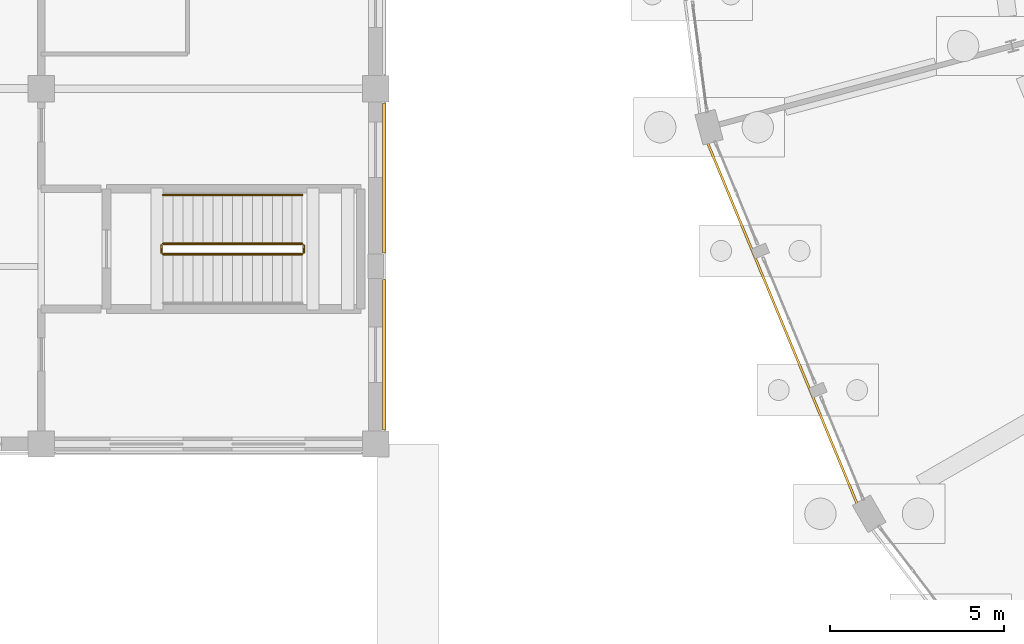
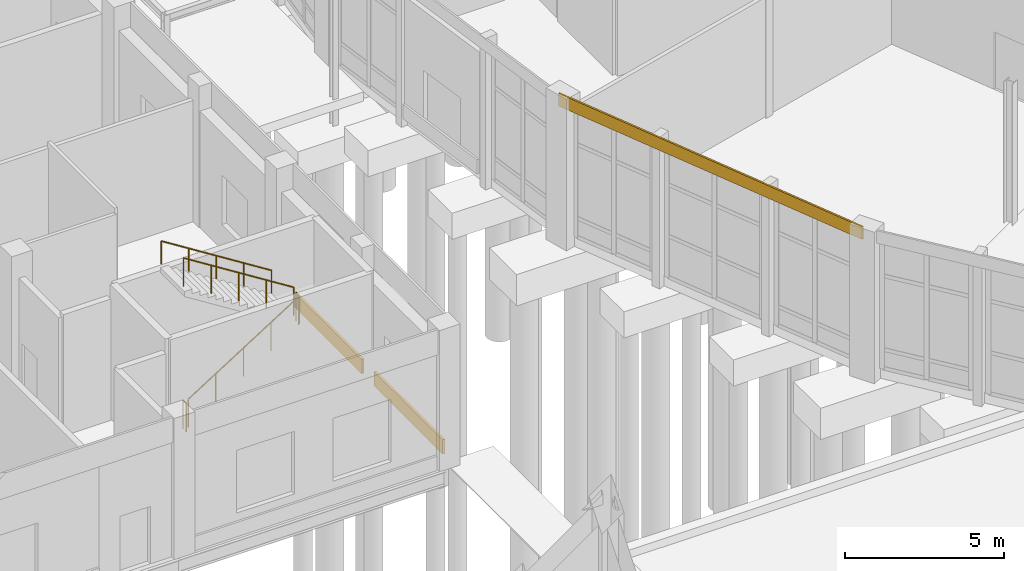
# One storey, part 123 of 137: 5 railings, 3 coverings.
"""IFC4 building model written with IfcOpenShell, lengths in metres."""

import ifcopenshell
import ifcopenshell.guid

model = None  # the IFC model being written
_history = None  # IfcOwnerHistory: only IFC2X3 demands one
_inside = {}  # id of a spatial element -> (the spatial element, [elements in it])
_under = {}  # id of a project, library or spatial element -> (it, [spatial elements below it])
_declared = {}  # id of a project -> (the project, [libraries it declares])
_typed = {}  # id of a type object -> (the type object, [elements of that type])
_made_of = {}  # id of a material, layer set ... -> (it, [elements and type objects made of it])


def new_model(schema):
    """Start an empty IFC model of exactly this schema.

    Asked for "IFC4X3", IfcOpenShell would pick the latest addendum, in which some entities
    have other attributes; the version numbers below select the first issue.
    IFC2X3 requires an IfcOwnerHistory on every rooted entity: one is made here for all.
    """
    global model, _history
    if schema == "IFC4X3":
        model = ifcopenshell.file(schema_version=(4, 3, 0, 0))
    else:
        model = ifcopenshell.file(schema=schema)
    _inside.clear()
    _under.clear()
    _declared.clear()
    _typed.clear()
    _made_of.clear()
    _history = None
    if model.schema == "IFC2X3":
        org = make("IfcOrganization", Name="unknown")
        user = make(
            "IfcPersonAndOrganization",
            ThePerson=make("IfcPerson", FamilyName="unknown"),
            TheOrganization=org,
        )
        app = make(
            "IfcApplication",
            ApplicationDeveloper=org,
            Version="unknown",
            ApplicationFullName="unknown",
            ApplicationIdentifier="unknown",
        )
        _history = make(
            "IfcOwnerHistory",
            OwningUser=user,
            OwningApplication=app,
            ChangeAction="ADDED",
            CreationDate=0,
        )
    return model


def make(cls, **values):
    """One entity of the class cls with the attributes given. An attribute that is None is left unset."""
    return model.create_entity(
        cls, **{name: value for name, value in values.items() if value is not None}
    )


def rooted(cls, **values):
    """An entity with a GlobalId (a new one), such as an element, a storey or a relation."""
    return make(cls, GlobalId=ifcopenshell.guid.new(), OwnerHistory=_history, **values)


def si_unit(unit_type, name, prefix=None):
    """IfcSIUnit, for example si_unit("LENGTHUNIT", "METRE", prefix="MILLI")."""
    return make("IfcSIUnit", UnitType=unit_type, Prefix=prefix, Name=name)


def assignment(units):
    """IfcUnitAssignment: the units of a project."""
    return None if units is None else make("IfcUnitAssignment", Units=units)


def point(xyz):
    """IfcCartesianPoint."""
    return None if xyz is None else make("IfcCartesianPoint", Coordinates=xyz)


def direction(xyz):
    """IfcDirection."""
    return None if xyz is None else make("IfcDirection", DirectionRatios=xyz)


def frame(location, z_axis=None, x_axis=None):
    """IfcAxis2Placement3D, a coordinate frame: its origin and axes. An axis left out is left unset."""
    return make(
        "IfcAxis2Placement3D",
        Location=point(location),
        Axis=direction(z_axis),
        RefDirection=direction(x_axis),
    )


def frame_2d(location, x_axis=None):
    """IfcAxis2Placement2D, a coordinate frame in the plane: its origin and x axis."""
    return make(
        "IfcAxis2Placement2D", Location=point(location), RefDirection=direction(x_axis)
    )


def origin():
    """The frame at (0, 0, 0) with its axes left unset."""
    return frame((0.0, 0.0, 0.0))


def origin_2d():
    """The frame at (0, 0) in the plane with its x axis left unset."""
    return frame_2d((0.0, 0.0))


def place(relative_to, where):
    """IfcLocalPlacement: puts the frame where relative to a parent placement (None: the world)."""
    return make(
        "IfcLocalPlacement", PlacementRelTo=relative_to, RelativePlacement=where
    )


def context(
    kind, dimensions, precision=None, world=None, true_north=None, identifier=None
):
    """IfcGeometricRepresentationContext, for example the 3D "Model" context."""
    return make(
        "IfcGeometricRepresentationContext",
        ContextIdentifier=identifier,
        ContextType=kind,
        CoordinateSpaceDimension=dimensions,
        Precision=precision,
        WorldCoordinateSystem=world,
        TrueNorth=true_north,
    )


def subcontext(parent, identifier, kind, view, scale=None):
    """IfcGeometricRepresentationSubContext, for example "Body" below "Model"."""
    return make(
        "IfcGeometricRepresentationSubContext",
        ContextIdentifier=identifier,
        ContextType=kind,
        ParentContext=parent,
        TargetScale=scale,
        TargetView=view,
    )


def project(units=None, contexts=None):
    """IfcProject with its units and contexts."""
    return rooted(
        "IfcProject",
        Name="project",
        RepresentationContexts=contexts,
        UnitsInContext=assignment(units),
    )


def spatial(cls, under=None, at=None, **own):
    """A site, building, storey or space (cls), placed at a placement, below another one or the project."""
    s = rooted(cls, ObjectPlacement=at, **own)
    if under is not None:
        _under.setdefault(under.id(), (under, []))[1].append(s)
    return s


def profile(cls, at=None, kind="AREA", **sizes):
    """A parametric profile (cls). Its sizes go by their IFC names, for example OverallWidth=200.0."""
    return make(cls, ProfileType=kind, Position=at, **sizes)


def rectangle(**sizes):
    """IfcRectangleProfileDef."""
    return profile("IfcRectangleProfileDef", **sizes)


def circle(**sizes):
    """IfcCircleProfileDef."""
    return profile("IfcCircleProfileDef", **sizes)


def extrude(swept, where, along, depth):
    """IfcExtrudedAreaSolid: the profile swept, set in the frame where, extruded along a direction by depth."""
    return make(
        "IfcExtrudedAreaSolid",
        SweptArea=swept,
        Position=where,
        ExtrudedDirection=direction(along),
        Depth=depth,
    )


def shape(context_of_items, identifier, shape_type, items):
    """IfcShapeRepresentation: the items that make up one representation, for example the "Body"."""
    return make(
        "IfcShapeRepresentation",
        ContextOfItems=context_of_items,
        RepresentationIdentifier=identifier,
        RepresentationType=shape_type,
        Items=items,
    )


def material(Name=None, Category=None):
    """IfcMaterial."""
    return make("IfcMaterial", Name=Name, Category=Category)


def layer(
    of_material, thickness, ventilated=None, Name=None, Category=None, Priority=None
):
    """IfcMaterialLayer: one layer of a wall or slab, of a material (None: an air gap)."""
    return make(
        "IfcMaterialLayer",
        Material=of_material,
        LayerThickness=thickness,
        IsVentilated=ventilated,
        Name=Name,
        Category=Category,
        Priority=Priority,
    )


def layer_set(layers, Name=None):
    """IfcMaterialLayerSet."""
    return make("IfcMaterialLayerSet", MaterialLayers=layers, LayerSetName=Name)


def made_of(thing, what):
    """Note that an element or type object is made of a material, layer set ...; save() writes the relation."""
    if what is not None:
        _made_of.setdefault(what.id(), (what, []))[1].append(thing)
    return thing


def type_object(cls, material=None, **own):
    """A type object (cls), such as IfcWallType, which elements share."""
    return made_of(rooted(cls, **own), material)


def element(
    cls,
    number,
    at=None,
    inside=None,
    cuts=None,
    type_object=None,
    material=None,
    context=None,
    identifier="Body",
    shape_type=None,
    held_by="IfcProductDefinitionShape",
    body=None,
    shapes=None,
    **own,
):
    """One element of the class cls, such as IfcWall. Its Tag is "e" and its number.

    at: its placement. inside: the storey or other place that contains it. cuts: it is an
    opening in that element (IfcRelVoidsElement). A single representation is given by context,
    identifier, shape_type and body (its items); several are given by shapes. held_by: the class
    of the entity that holds the representations. save() writes the other relations.
    """
    e = rooted(cls, Tag="e%d" % number, ObjectPlacement=at, **own)
    if body is not None:
        shapes = [shape(context, identifier, shape_type, body)]
    if shapes is not None:
        e.Representation = make(held_by, Representations=shapes)
    if inside is not None:
        _inside.setdefault(inside.id(), (inside, []))[1].append(e)
    if cuts is not None:
        rooted(
            "IfcRelVoidsElement", RelatingBuildingElement=cuts, RelatedOpeningElement=e
        )
    if type_object is not None:
        _typed.setdefault(type_object.id(), (type_object, []))[1].append(e)
    return made_of(e, material)


def aggregate(whole, parts):
    """IfcRelAggregates: a whole, such as a stair, and the parts it consists of."""
    return rooted("IfcRelAggregates", RelatingObject=whole, RelatedObjects=parts)


def save(model, path):
    """Write the relations noted so far, then the file.

    IfcRelAggregates (storeys below a building ...), IfcRelContainedInSpatialStructure (elements
    in a storey), IfcRelDefinesByType, IfcRelAssociatesMaterial and IfcRelDeclares: one each for
    every whole, place, type object, material and project.
    """
    for whole, parts in _under.values():
        aggregate(whole, parts)
    for where, things in _inside.values():
        rooted(
            "IfcRelContainedInSpatialStructure",
            RelatedElements=things,
            RelatingStructure=where,
        )
    for kind, things in _typed.values():
        rooted("IfcRelDefinesByType", RelatedObjects=things, RelatingType=kind)
    for what, things in _made_of.values():
        rooted("IfcRelAssociatesMaterial", RelatedObjects=things, RelatingMaterial=what)
    for by, libraries in _declared.values():
        rooted("IfcRelDeclares", RelatingContext=by, RelatedDefinitions=libraries)
    model.write(path)


model = new_model("IFC4")

# Units and contexts
model_context = context("Model", 3, precision=1e-05, world=origin(), true_north=direction((0.0, 1.0)))
body_context = subcontext(model_context, "Body", "Model", "MODEL_VIEW")
ifc_project = project(units=[si_unit("LENGTHUNIT", "METRE"), si_unit("AREAUNIT", "SQUARE_METRE"), si_unit("VOLUMEUNIT", "CUBIC_METRE"), si_unit("PLANEANGLEUNIT", "RADIAN"), si_unit("MASSUNIT", "GRAM", prefix="KILO")], contexts=[model_context])

# Site, building, storey
site_placement = place(None, origin())
site = spatial("IfcSite", under=ifc_project, at=site_placement, CompositionType="ELEMENT")
building_placement = place(site_placement, origin())
building = spatial("IfcBuilding", under=site, at=building_placement, Name="Vondelvale Polytechnic", CompositionType="ELEMENT")
storey_placement = place(building_placement, origin())
storey = spatial("IfcBuildingStorey", under=building, at=storey_placement, Name="L00", CompositionType="ELEMENT", Elevation=0.0)

# Coverings
ifc_material_1 = material(Name="Malmsbury bluestone ashlar stone masonry", Category="masonry")
ifc_layer_1 = layer(ifc_material_1, 0.080078125)
ifc_layer_set_1 = layer_set([ifc_layer_1], Name="COV-BLUESTONE-PLINTH")
covering_type_1 = type_object("IfcCoveringType", Name="COV-BLUESTONE-PLINTH", PredefinedType="CLADDING", material=ifc_layer_set_1)
for number, where, z_axis, x_axis, name in (
    (1, (48.236083984375, 53.5625, 0.0), (0.0, 0.0, 1.0), (0.0, -1.0, 0.0), "L00 exterior corbelled masonry relief band"),
    (2, (48.236083984375, 58.637451171875, 0.0), (0.0, 0.0, 1.0), (0.0, -1.0, 0.0), "L00 exterior corbelled masonry relief band"),
):
    element("IfcCovering", number, at=place(storey_placement, frame(where, z_axis=z_axis, x_axis=x_axis)), inside=storey, type_object=covering_type_1, Name=name, PredefinedType="CLADDING", context=body_context, shape_type="SweptSolid", body=[
        extrude(rectangle(XDim=4.31298828125, YDim=0.080078125, at=origin_2d()), origin(), (0.0, 0.0, 1.0), 0.550048828125),
    ])
ifc_material_2 = material(Name="Engineered Tasmanian oak studio and bridge joinery")
ifc_layer_2 = layer(ifc_material_2, 0.06494140625)
ifc_layer_set_2 = layer_set([ifc_layer_2], Name="COV-OAK-SPANDREL")
covering_type_2 = type_object("IfcCoveringType", Name="COV-OAK-SPANDREL", PredefinedType="CLADDING", material=ifc_layer_set_2)
covering_placement = place(storey_placement, frame((59.67041015625, 54.466552734375, 4.919921875), z_axis=(0.0, 0.0, 1.0), x_axis=(0.382683432365, -0.923879532511, 0.0)))
element("IfcCovering", 3, at=covering_placement, inside=storey, type_object=covering_type_2, Name="L00 exterior masonry spandrel band", PredefinedType="CLADDING", context=body_context, shape_type="SweptSolid", body=[
    extrude(rectangle(XDim=12.00830078125, YDim=0.06494140625, at=origin_2d()), origin(), (0.0, 0.0, 1.0), 0.47998046875),
])

# Railings
ifc_material_3 = material(Name="Brushed architectural stainless and zinc-coated metal")
ifc_layer_3 = layer(ifc_material_3, 0.050048828125)
ifc_layer_set_3 = layer_set([ifc_layer_3], Name="RL-STAIR-GUARD")
railing_type_1 = type_object("IfcRailingType", Name="RL-STAIR-GUARD", PredefinedType="GUARDRAIL", material=ifc_layer_set_3)
railing_1_placement = place(storey_placement, frame((41.89990234375, 56.449951171875, 0.179931640625)))
element("IfcRailing", 4, at=railing_1_placement, inside=storey, type_object=railing_type_1, Name="L00 ST-01 stair guard 1", PredefinedType="GUARDRAIL", context=body_context, shape_type="SweptSolid", body=[
    extrude(circle(Radius=0.02392578125, at=origin_2d()), frame((0.0, 0.0, 1.076171875), z_axis=(0.845486444383, 0.0, 0.533996884227), x_axis=(0.0, 1.0, 0.0)), (0.0, 0.0, 1.0), 4.71923828125),
    extrude(circle(Radius=0.02099609375, at=origin_2d()), origin(), (0.0, 0.0, 1.0), 1.052001953125),
    extrude(circle(Radius=0.02099609375, at=origin_2d()), frame((0.99755859375, 0.0, 0.6298828125)), (0.0, 0.0, 1.0), 1.052001953125),
    extrude(circle(Radius=0.02099609375, at=origin_2d()), frame((1.9951171875, 0.0, 1.260009765625)), (0.0, 0.0, 1.0), 1.052001953125),
    extrude(circle(Radius=0.02099609375, at=origin_2d()), frame((2.992431640625, 0.0, 1.89013671875)), (0.0, 0.0, 1.0), 1.052001953125),
    extrude(circle(Radius=0.02099609375, at=origin_2d()), frame((3.989990234375, 0.0, 2.52001953125)), (0.0, 0.0, 1.0), 1.052001953125),
])
railing_2_placement = place(storey_placement, frame((45.93994140625, 56.5, 2.699951171875)))
element("IfcRailing", 5, at=railing_2_placement, inside=storey, type_object=railing_type_1, Name="L00 ST-01 stair guard 2", PredefinedType="GUARDRAIL", context=body_context, shape_type="SweptSolid", body=[
    extrude(circle(Radius=0.02392578125, at=origin_2d()), frame((0.0, 0.0, 1.076171875), z_axis=(0.0, 1.0, 0.0), x_axis=(-1.0, 0.0, 0.0)), (0.0, 0.0, 1.0), 0.199951171875),
    extrude(circle(Radius=0.02099609375, at=origin_2d()), origin(), (0.0, 0.0, 1.0), 1.052001953125),
    extrude(circle(Radius=0.02099609375, at=origin_2d()), frame((0.0, 0.199951171875, 0.0)), (0.0, 0.0, 1.0), 1.052001953125),
])
railing_3_placement = place(storey_placement, frame((45.889892578125, 56.75, 2.8798828125)))
element("IfcRailing", 6, at=railing_3_placement, inside=storey, type_object=railing_type_1, Name="L00 ST-01 stair guard 3", PredefinedType="GUARDRAIL", context=body_context, shape_type="SweptSolid", body=[
    extrude(circle(Radius=0.02392578125, at=origin_2d()), frame((0.0, 0.0, 1.076171875), z_axis=(-0.845486444383, 0.0, 0.533996884227), x_axis=(0.0, -1.0, 0.0)), (0.0, 0.0, 1.0), 4.71923828125),
    extrude(circle(Radius=0.02099609375, at=origin_2d()), origin(), (0.0, 0.0, 1.0), 1.052001953125),
    extrude(circle(Radius=0.02099609375, at=origin_2d()), frame((-0.99755859375, 0.0, 0.6298828125)), (0.0, 0.0, 1.0), 1.052001953125),
    extrude(circle(Radius=0.02099609375, at=origin_2d()), frame((-1.9951171875, 0.0, 1.260009765625)), (0.0, 0.0, 1.0), 1.052001953125),
    extrude(circle(Radius=0.02099609375, at=origin_2d()), frame((-2.992431640625, 0.0, 1.89013671875)), (0.0, 0.0, 1.0), 1.052001953125),
    extrude(circle(Radius=0.02099609375, at=origin_2d()), frame((-3.989990234375, 0.0, 2.52001953125)), (0.0, 0.0, 1.0), 1.052001953125),
])
railing_4_placement = place(storey_placement, frame((41.85009765625, 56.5, 0.0)))
element("IfcRailing", 7, at=railing_4_placement, inside=storey, type_object=railing_type_1, Name="L00 ST-01 stair guard 4", PredefinedType="GUARDRAIL", context=body_context, shape_type="SweptSolid", body=[
    extrude(circle(Radius=0.02392578125, at=origin_2d()), frame((0.0, 0.0, 1.076171875), z_axis=(0.0, 1.0, 0.0), x_axis=(-1.0, 0.0, 0.0)), (0.0, 0.0, 1.0), 0.199951171875),
    extrude(circle(Radius=0.02099609375, at=origin_2d()), origin(), (0.0, 0.0, 1.0), 1.052001953125),
    extrude(circle(Radius=0.02099609375, at=origin_2d()), frame((0.0, 0.199951171875, 0.0)), (0.0, 0.0, 1.0), 1.052001953125),
])
ifc_layer_4 = layer(ifc_material_3, 0.048095703125)
ifc_layer_set_4 = layer_set([ifc_layer_4], Name="RL-STAIR-HANDRAIL")
railing_type_2 = type_object("IfcRailingType", Name="RL-STAIR-HANDRAIL", PredefinedType="HANDRAIL", material=ifc_layer_set_4)
railing_5_placement = place(storey_placement, frame((45.889892578125, 58.14990234375, 2.8798828125)))
element("IfcRailing", 8, at=railing_5_placement, inside=storey, type_object=railing_type_2, Name="L00 ST-01 stair handrail 2", PredefinedType="HANDRAIL", context=body_context, shape_type="SweptSolid", body=[
    extrude(circle(Radius=0.02392578125, at=origin_2d()), frame((0.0, 0.0, 0.8759765625), z_axis=(-0.845486444383, 0.0, 0.533996884227), x_axis=(0.0, -1.0, 0.0)), (0.0, 0.0, 1.0), 4.71923828125),
    extrude(circle(Radius=0.02099609375, at=origin_2d()), origin(), (0.0, 0.0, 1.0), 0.851806640625),
    extrude(circle(Radius=0.02099609375, at=origin_2d()), frame((-0.99755859375, 0.0, 0.6298828125)), (0.0, 0.0, 1.0), 0.851806640625),
    extrude(circle(Radius=0.02099609375, at=origin_2d()), frame((-1.9951171875, 0.0, 1.260009765625)), (0.0, 0.0, 1.0), 0.851806640625),
    extrude(circle(Radius=0.02099609375, at=origin_2d()), frame((-2.992431640625, 0.0, 1.89013671875)), (0.0, 0.0, 1.0), 0.851806640625),
    extrude(circle(Radius=0.02099609375, at=origin_2d()), frame((-3.989990234375, 0.0, 2.52001953125)), (0.0, 0.0, 1.0), 0.851806640625),
])

save(model, "model.ifc")
